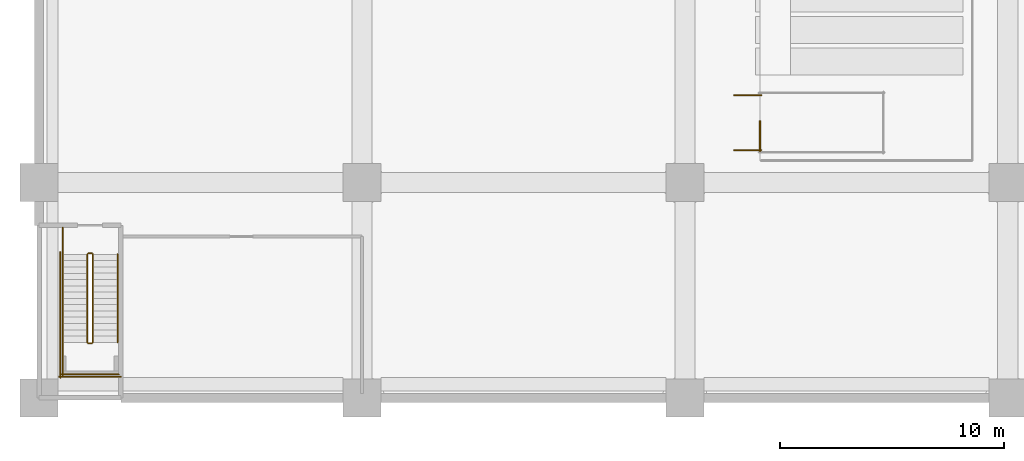
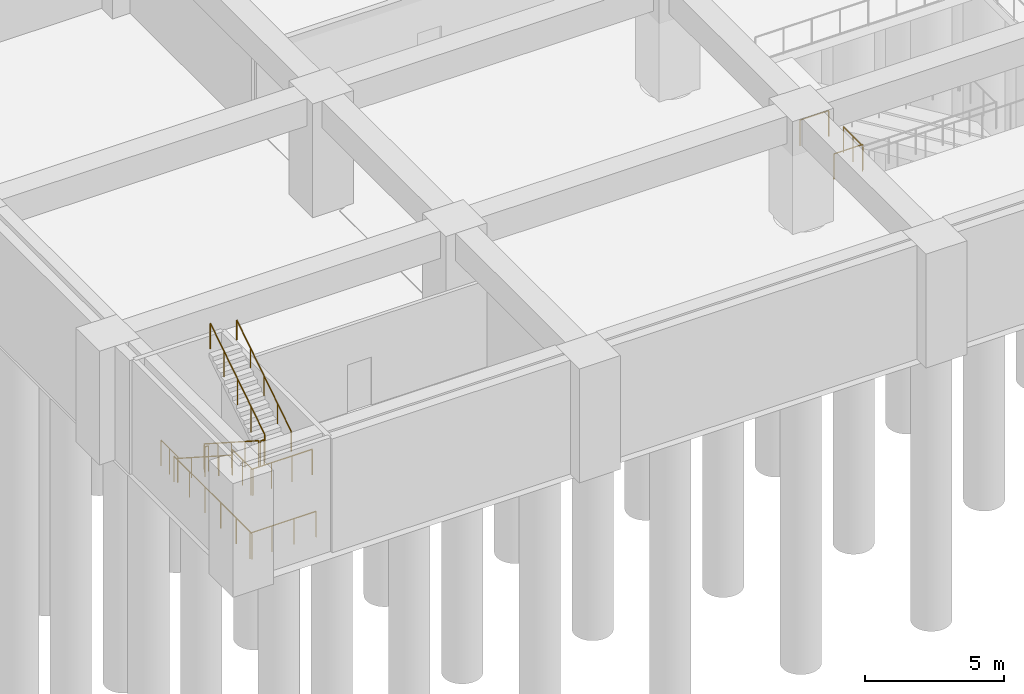
# One storey, part 11 of 20: 14 railings.
"""IFC4 building model written with IfcOpenShell, lengths in metres."""

from ifc_helpers import new_model, si_unit, direction, frame, origin, origin_2d, place, context, subcontext, project, spatial, circle, extrude, material, type_object, element, save


model = new_model("IFC4")

# Units and contexts
model_context = context("Model", 3, precision=1e-05, world=origin(), true_north=direction((0.0, 1.0)))
body_context = subcontext(model_context, "Body", "Model", "MODEL_VIEW")
ifc_project = project(units=[si_unit("LENGTHUNIT", "METRE"), si_unit("AREAUNIT", "SQUARE_METRE"), si_unit("VOLUMEUNIT", "CUBIC_METRE"), si_unit("PLANEANGLEUNIT", "RADIAN"), si_unit("MASSUNIT", "GRAM", prefix="KILO")], contexts=[model_context])

# Site, building, storey
site_placement = place(None, origin())
site = spatial("IfcSite", under=ifc_project, at=site_placement, CompositionType="ELEMENT")
building_placement = place(site_placement, origin())
building = spatial("IfcBuilding", under=site, at=building_placement, Name="Saffron Iwan Residences", CompositionType="ELEMENT")
storey_placement = place(building_placement, frame((0.0, 0.0, -5.39990234375)))
storey = spatial("IfcBuildingStorey", under=building, at=storey_placement, Name="B1", CompositionType="ELEMENT", Elevation=-5.39990234375)

# Railings
ifc_material = material(Name="Steel S355", Category="steel")
railing_type_1 = type_object("IfcRailingType", Name="Podium stair guard 1150", PredefinedType="GUARDRAIL", material=ifc_material)
railing_1_placement = place(storey_placement, frame((2.14990234375, 6.39990234375, 0.179931640625)))
element("IfcRailing", 1, at=railing_1_placement, inside=storey, type_object=railing_type_1, Name="B1 SE1 stair guard 1", PredefinedType="GUARDRAIL", context=body_context, shape_type="SweptSolid", body=[
    extrude(circle(Radius=0.02392578125, at=origin_2d()), frame((0.0, 0.0, 1.1259765625), z_axis=(0.0, -0.841171666519, 0.540768182723), x_axis=(1.0, 0.0, 0.0)), (0.0, 0.0, 1.0), 4.66015625),
    extrude(circle(Radius=0.02099609375, at=origin_2d()), origin(), (0.0, 0.0, 1.0), 1.101806640625),
    extrude(circle(Radius=0.02099609375, at=origin_2d()), frame((0.0, -0.97998046875, 0.6298828125)), (0.0, 0.0, 1.0), 1.101806640625),
    extrude(circle(Radius=0.02099609375, at=origin_2d()), frame((0.0, -1.9599609375, 1.260009765625)), (0.0, 0.0, 1.0), 1.101806640625),
    extrude(circle(Radius=0.02099609375, at=origin_2d()), frame((0.0, -2.93994140625, 1.89013671875)), (0.0, 0.0, 1.0), 1.101806640625),
    extrude(circle(Radius=0.02099609375, at=origin_2d()), frame((0.0, -3.919921875, 2.52001953125)), (0.0, 0.0, 1.0), 1.101806640625),
])
railing_2_placement = place(storey_placement, frame((2.199951171875, 2.429931640625, 2.699951171875)))
element("IfcRailing", 2, at=railing_2_placement, inside=storey, type_object=railing_type_1, Name="B1 SE1 stair guard 2", PredefinedType="GUARDRAIL", context=body_context, shape_type="SweptSolid", body=[
    extrude(circle(Radius=0.02392578125, at=origin_2d()), frame((0.0, 0.0, 1.1259765625), z_axis=(1.0, 0.0, 0.0), x_axis=(0.0, 1.0, 0.0)), (0.0, 0.0, 1.0), 0.150146484375),
    extrude(circle(Radius=0.02099609375, at=origin_2d()), origin(), (0.0, 0.0, 1.0), 1.101806640625),
    extrude(circle(Radius=0.02099609375, at=origin_2d()), frame((0.150146484375, 0.0, 0.0)), (0.0, 0.0, 1.0), 1.101806640625),
])
railing_3_placement = place(storey_placement, frame((1.050048828125, 2.47998046875, 2.699951171875)))
element("IfcRailing", 3, at=railing_3_placement, inside=storey, type_object=railing_type_1, Name="B1 SE1 stair guard 3", PredefinedType="GUARDRAIL", context=body_context, shape_type="SweptSolid", body=[
    extrude(circle(Radius=0.02392578125, at=origin_2d()), frame((0.0, 0.0, 1.1259765625), z_axis=(0.0, -1.0, 0.0), x_axis=(1.0, 0.0, 0.0)), (0.0, 0.0, 1.0), 1.47998046875),
    extrude(circle(Radius=0.02099609375, at=origin_2d()), origin(), (0.0, 0.0, 1.0), 1.101806640625),
    extrude(circle(Radius=0.02099609375, at=origin_2d()), frame((0.0, -0.739990234375, 0.0)), (0.0, 0.0, 1.0), 1.101806640625),
    extrude(circle(Radius=0.02099609375, at=origin_2d()), frame((0.0, -1.47998046875, 0.0)), (0.0, 0.0, 1.0), 1.101806640625),
])
railing_4_placement = place(storey_placement, frame((1.0, 1.050048828125, 2.699951171875)))
element("IfcRailing", 4, at=railing_4_placement, inside=storey, type_object=railing_type_1, Name="B1 SE1 stair guard 4", PredefinedType="GUARDRAIL", context=body_context, shape_type="SweptSolid", body=[
    extrude(circle(Radius=0.02392578125, at=origin_2d()), frame((0.0, 0.0, 1.1259765625), z_axis=(1.0, 0.0, 0.0), x_axis=(0.0, 1.0, 0.0)), (0.0, 0.0, 1.0), 2.550048828125),
    extrude(circle(Radius=0.02099609375, at=origin_2d()), origin(), (0.0, 0.0, 1.0), 1.101806640625),
    extrude(circle(Radius=0.02099609375, at=origin_2d()), frame((0.85009765625, 0.0, 0.0)), (0.0, 0.0, 1.0), 1.101806640625),
    extrude(circle(Radius=0.02099609375, at=origin_2d()), frame((1.699951171875, 0.0, 0.0)), (0.0, 0.0, 1.0), 1.101806640625),
    extrude(circle(Radius=0.02099609375, at=origin_2d()), frame((2.550048828125, 0.0, 0.0)), (0.0, 0.0, 1.0), 1.101806640625),
])
railing_5_placement = place(storey_placement, frame((2.39990234375, 2.47998046875, 2.8798828125)))
element("IfcRailing", 5, at=railing_5_placement, inside=storey, type_object=railing_type_1, Name="B1 SE1 stair guard 5", PredefinedType="GUARDRAIL", context=body_context, shape_type="SweptSolid", body=[
    extrude(circle(Radius=0.02392578125, at=origin_2d()), frame((0.0, 0.0, 1.1259765625), z_axis=(0.0, 0.841171666519, 0.540768182723), x_axis=(-1.0, 0.0, 0.0)), (0.0, 0.0, 1.0), 4.66015625),
    extrude(circle(Radius=0.02099609375, at=origin_2d()), origin(), (0.0, 0.0, 1.0), 1.101806640625),
    extrude(circle(Radius=0.02099609375, at=origin_2d()), frame((0.0, 0.97998046875, 0.6298828125)), (0.0, 0.0, 1.0), 1.101806640625),
    extrude(circle(Radius=0.02099609375, at=origin_2d()), frame((0.0, 1.9599609375, 1.260009765625)), (0.0, 0.0, 1.0), 1.101806640625),
    extrude(circle(Radius=0.02099609375, at=origin_2d()), frame((0.0, 2.93994140625, 1.89013671875)), (0.0, 0.0, 1.0), 1.101806640625),
    extrude(circle(Radius=0.02099609375, at=origin_2d()), frame((0.0, 3.919921875, 2.52001953125)), (0.0, 0.0, 1.0), 1.101806640625),
])
railing_6_placement = place(storey_placement, frame((2.199951171875, 6.449951171875, 0.0)))
element("IfcRailing", 6, at=railing_6_placement, inside=storey, type_object=railing_type_1, Name="B1 SE1 stair guard 6", PredefinedType="GUARDRAIL", context=body_context, shape_type="SweptSolid", body=[
    extrude(circle(Radius=0.02392578125, at=origin_2d()), frame((0.0, 0.0, 1.1259765625), z_axis=(1.0, 0.0, 0.0), x_axis=(0.0, 1.0, 0.0)), (0.0, 0.0, 1.0), 0.150146484375),
    extrude(circle(Radius=0.02099609375, at=origin_2d()), origin(), (0.0, 0.0, 1.0), 1.101806640625),
    extrude(circle(Radius=0.02099609375, at=origin_2d()), frame((0.150146484375, 0.0, 0.0)), (0.0, 0.0, 1.0), 1.101806640625),
])
railing_7_placement = place(storey_placement, frame((1.050048828125, 7.60009765625, 0.0)))
element("IfcRailing", 7, at=railing_7_placement, inside=storey, type_object=railing_type_1, Name="B1 SE1 stair guard 7", PredefinedType="GUARDRAIL", context=body_context, shape_type="SweptSolid", body=[
    extrude(circle(Radius=0.02392578125, at=origin_2d()), frame((0.0, 0.0, 1.1259765625), z_axis=(0.0, -1.0, 0.0), x_axis=(1.0, 0.0, 0.0)), (0.0, 0.0, 1.0), 1.2001953125),
    extrude(circle(Radius=0.02099609375, at=origin_2d()), origin(), (0.0, 0.0, 1.0), 1.101806640625),
    extrude(circle(Radius=0.02099609375, at=origin_2d()), frame((0.0, -0.60009765625, 0.0)), (0.0, 0.0, 1.0), 1.101806640625),
    extrude(circle(Radius=0.02099609375, at=origin_2d()), frame((0.0, -1.2001953125, 0.0)), (0.0, 0.0, 1.0), 1.101806640625),
])
railing_8_placement = place(storey_placement, frame((0.949951171875, 6.5, 0.0)))
element("IfcRailing", 8, at=railing_8_placement, inside=storey, type_object=railing_type_1, Name="B1 SE1 stair guard 8", PredefinedType="GUARDRAIL", context=body_context, shape_type="SweptSolid", body=[
    extrude(circle(Radius=0.02392578125, at=origin_2d()), frame((0.0, 0.0, 1.1259765625), z_axis=(0.0, -1.0, 0.0), x_axis=(1.0, 0.0, 0.0)), (0.0, 0.0, 1.0), 5.60009765625),
    extrude(circle(Radius=0.02099609375, at=origin_2d()), origin(), (0.0, 0.0, 1.0), 1.101806640625),
    extrude(circle(Radius=0.02099609375, at=origin_2d()), frame((0.0, -1.1201171875, 0.0)), (0.0, 0.0, 1.0), 1.101806640625),
    extrude(circle(Radius=0.02099609375, at=origin_2d()), frame((0.0, -2.239990234375, 0.0)), (0.0, 0.0, 1.0), 1.101806640625),
    extrude(circle(Radius=0.02099609375, at=origin_2d()), frame((0.0, -3.360107421875, 0.0)), (0.0, 0.0, 1.0), 1.101806640625),
    extrude(circle(Radius=0.02099609375, at=origin_2d()), frame((0.0, -4.47998046875, 0.0)), (0.0, 0.0, 1.0), 1.101806640625),
    extrude(circle(Radius=0.02099609375, at=origin_2d()), frame((0.0, -5.60009765625, 0.0)), (0.0, 0.0, 1.0), 1.101806640625),
])
railing_9_placement = place(storey_placement, frame((0.89990234375, 0.949951171875, 0.0)))
element("IfcRailing", 9, at=railing_9_placement, inside=storey, type_object=railing_type_1, Name="B1 SE1 stair guard 9", PredefinedType="GUARDRAIL", context=body_context, shape_type="SweptSolid", body=[
    extrude(circle(Radius=0.02392578125, at=origin_2d()), frame((0.0, 0.0, 1.1259765625), z_axis=(1.0, 0.0, 0.0), x_axis=(0.0, 1.0, 0.0)), (0.0, 0.0, 1.0), 2.75),
    extrude(circle(Radius=0.02099609375, at=origin_2d()), origin(), (0.0, 0.0, 1.0), 1.101806640625),
    extrude(circle(Radius=0.02099609375, at=origin_2d()), frame((0.916748046875, 0.0, 0.0)), (0.0, 0.0, 1.0), 1.101806640625),
    extrude(circle(Radius=0.02099609375, at=origin_2d()), frame((1.833251953125, 0.0, 0.0)), (0.0, 0.0, 1.0), 1.101806640625),
    extrude(circle(Radius=0.02099609375, at=origin_2d()), frame((2.75, 0.0, 0.0)), (0.0, 0.0, 1.0), 1.101806640625),
])
railing_10_placement = place(storey_placement, frame((32.14990234375, 11.0, 0.0)))
element("IfcRailing", 10, at=railing_10_placement, inside=storey, type_object=railing_type_1, Name="B1 SP2 top well guard 1", PredefinedType="GUARDRAIL", context=body_context, shape_type="SweptSolid", body=[
    extrude(circle(Radius=0.02392578125, at=origin_2d()), frame((0.0, 0.0, 1.1259765625), z_axis=(0.0, 1.0, 0.0), x_axis=(-1.0, 0.0, 0.0)), (0.0, 0.0, 1.0), 1.35009765625),
    extrude(circle(Radius=0.02099609375, at=origin_2d()), origin(), (0.0, 0.0, 1.0), 1.101806640625),
    extrude(circle(Radius=0.02099609375, at=origin_2d()), frame((0.0, 0.675048828125, 0.0)), (0.0, 0.0, 1.0), 1.101806640625),
    extrude(circle(Radius=0.02099609375, at=origin_2d()), frame((0.0, 1.35009765625, 0.0)), (0.0, 0.0, 1.0), 1.101806640625),
])
for number, where, name in (
    (11, (31.0, 11.050048828125, 0.0), "B1 SP2 top well guard 5"),
    (12, (31.0, 13.5, 0.0), "B1 SP2 top well guard 6"),
):
    element("IfcRailing", number, at=place(storey_placement, frame(where)), inside=storey, type_object=railing_type_1, Name=name, PredefinedType="GUARDRAIL", context=body_context, shape_type="SweptSolid", body=[
        extrude(circle(Radius=0.02392578125, at=origin_2d()), frame((0.0, 0.0, 1.1259765625), z_axis=(1.0, 0.0, 0.0), x_axis=(0.0, 1.0, 0.0)), (0.0, 0.0, 1.0), 1.199951171875),
        extrude(circle(Radius=0.02099609375, at=origin_2d()), origin(), (0.0, 0.0, 1.0), 1.101806640625),
        extrude(circle(Radius=0.02099609375, at=origin_2d()), frame((1.199951171875, 0.0, 0.0)), (0.0, 0.0, 1.0), 1.101806640625),
    ])
railing_type_2 = type_object("IfcRailingType", Name="Podium stair handrail 900", PredefinedType="HANDRAIL", material=ifc_material)
railing_11_placement = place(storey_placement, frame((1.050048828125, 6.39990234375, 0.179931640625)))
element("IfcRailing", 13, at=railing_11_placement, inside=storey, type_object=railing_type_2, Name="B1 SE1 stair handrail 1", PredefinedType="HANDRAIL", context=body_context, shape_type="SweptSolid", body=[
    extrude(circle(Radius=0.02392578125, at=origin_2d()), frame((0.0, 0.0, 0.8759765625), z_axis=(0.0, -0.841171666519, 0.540768182723), x_axis=(1.0, 0.0, 0.0)), (0.0, 0.0, 1.0), 4.66015625),
    extrude(circle(Radius=0.02099609375, at=origin_2d()), origin(), (0.0, 0.0, 1.0), 0.851806640625),
    extrude(circle(Radius=0.02099609375, at=origin_2d()), frame((0.0, -0.97998046875, 0.6298828125)), (0.0, 0.0, 1.0), 0.851806640625),
    extrude(circle(Radius=0.02099609375, at=origin_2d()), frame((0.0, -1.9599609375, 1.260009765625)), (0.0, 0.0, 1.0), 0.851806640625),
    extrude(circle(Radius=0.02099609375, at=origin_2d()), frame((0.0, -2.93994140625, 1.89013671875)), (0.0, 0.0, 1.0), 0.851806640625),
    extrude(circle(Radius=0.02099609375, at=origin_2d()), frame((0.0, -3.919921875, 2.52001953125)), (0.0, 0.0, 1.0), 0.851806640625),
])
railing_12_placement = place(storey_placement, frame((3.5, 2.47998046875, 2.8798828125)))
element("IfcRailing", 14, at=railing_12_placement, inside=storey, type_object=railing_type_2, Name="B1 SE1 stair handrail 2", PredefinedType="HANDRAIL", context=body_context, shape_type="SweptSolid", body=[
    extrude(circle(Radius=0.02392578125, at=origin_2d()), frame((0.0, 0.0, 0.8759765625), z_axis=(0.0, 0.841171666519, 0.540768182723), x_axis=(-1.0, 0.0, 0.0)), (0.0, 0.0, 1.0), 4.66015625),
    extrude(circle(Radius=0.02099609375, at=origin_2d()), origin(), (0.0, 0.0, 1.0), 0.851806640625),
    extrude(circle(Radius=0.02099609375, at=origin_2d()), frame((0.0, 0.97998046875, 0.6298828125)), (0.0, 0.0, 1.0), 0.851806640625),
    extrude(circle(Radius=0.02099609375, at=origin_2d()), frame((0.0, 1.9599609375, 1.260009765625)), (0.0, 0.0, 1.0), 0.851806640625),
    extrude(circle(Radius=0.02099609375, at=origin_2d()), frame((0.0, 2.93994140625, 1.89013671875)), (0.0, 0.0, 1.0), 0.851806640625),
    extrude(circle(Radius=0.02099609375, at=origin_2d()), frame((0.0, 3.919921875, 2.52001953125)), (0.0, 0.0, 1.0), 0.851806640625),
])

save(model, "model.ifc")
